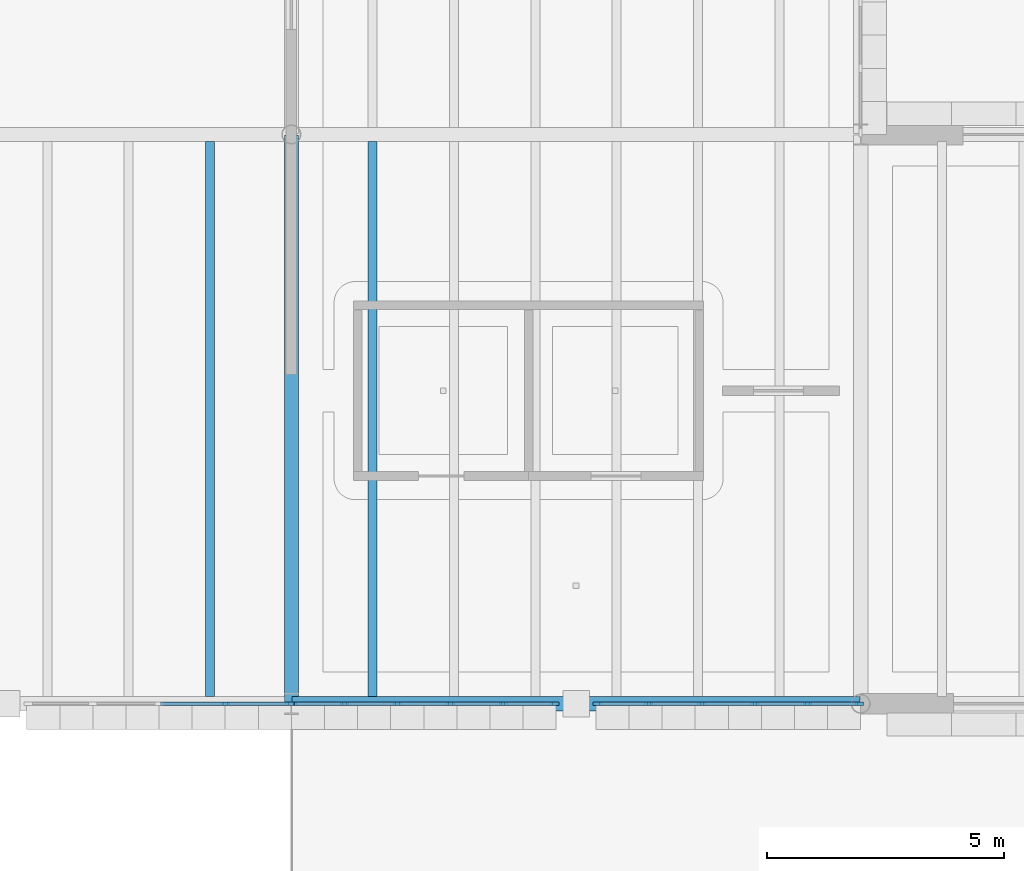
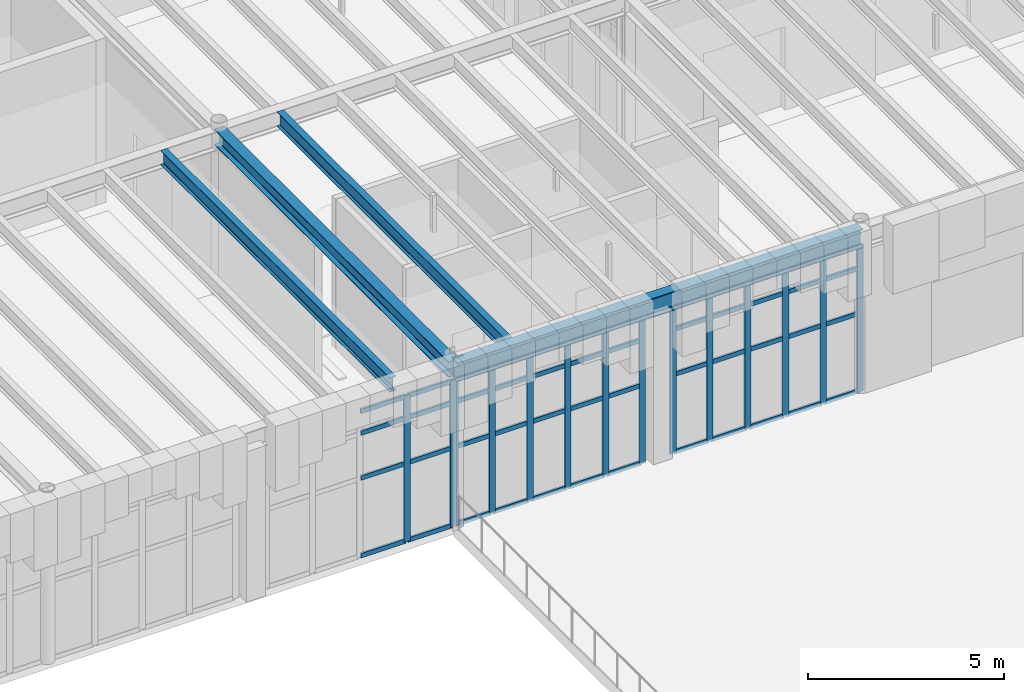
# One storey, part 20 of 103: 62 members, 4 beams, 3 elements without a shape of their own.
"""IFC4 building model written with IfcOpenShell, lengths in metres."""

from ifc_helpers import new_model, si_unit, direction, frame, origin, origin_2d, place, context, subcontext, project, spatial, rectangle, i_section, extrude, material, layer, layer_set, material_profile, profile_set, type_object, element, aggregate, save


model = new_model("IFC4")

# Units and contexts
model_context = context("Model", 3, precision=1e-05, world=origin(), true_north=direction((0.0, 1.0)))
body_context = subcontext(model_context, "Body", "Model", "MODEL_VIEW")
ifc_project = project(units=[si_unit("LENGTHUNIT", "METRE"), si_unit("AREAUNIT", "SQUARE_METRE"), si_unit("VOLUMEUNIT", "CUBIC_METRE"), si_unit("PLANEANGLEUNIT", "RADIAN"), si_unit("MASSUNIT", "GRAM", prefix="KILO")], contexts=[model_context])

# Site, building, storey
site_placement = place(None, origin())
site = spatial("IfcSite", under=ifc_project, at=site_placement, CompositionType="ELEMENT")
building_placement = place(site_placement, origin())
building = spatial("IfcBuilding", under=site, at=building_placement, Name="Zlatogorsky Bluff Art Gallery", CompositionType="ELEMENT")
storey_placement = place(building_placement, origin())
storey = spatial("IfcBuildingStorey", under=building, at=storey_placement, Name="L00", CompositionType="ELEMENT", Elevation=0.0)

# Beams
ifc_material_1 = material(Name="Steel S355", Category="steel")
ifc_material_profile_1 = material_profile(ifc_material_1, i_section(OverallWidth=0.300048828125, OverallDepth=0.590087890625, WebThickness=0.012939453125, FlangeThickness=0.02490234375, FilletRadius=0.027099609375, at=origin_2d()), Name="HEA 600")
ifc_profile_set_1 = profile_set([ifc_material_profile_1], Name="Steel S355")
beam_type_1 = type_object("IfcBeamType", Name="Beam BM-05 HEA 600", PredefinedType="BEAM", material=ifc_profile_set_1)
beam_1_placement = place(storey_placement, frame((48.014892578125, 84.0, 4.844970703125), z_axis=(1.0, 0.0, 0.0), x_axis=(0.0, 1.0, 0.0)))
element("IfcBeam", 1, at=beam_1_placement, inside=storey, type_object=beam_type_1, Name="Primary girder BM-05 L00 E-F/9", PredefinedType="BEAM", context=body_context, shape_type="SweptSolid", body=[
    extrude(i_section(OverallWidth=0.300048828125, OverallDepth=0.590087890625, WebThickness=0.012939453125, FlangeThickness=0.02490234375, FilletRadius=0.027099609375, at=origin_2d()), origin(), (0.0, 0.0, 1.0), 11.97021484375),
])
ifc_material_profile_2 = material_profile(ifc_material_1, i_section(OverallWidth=0.300048828125, OverallDepth=0.489990234375, WebThickness=0.011962890625, FlangeThickness=0.02294921875, FilletRadius=0.027099609375, at=origin_2d()), Name="HEA 500")
ifc_profile_set_2 = profile_set([ifc_material_profile_2], Name="Steel S355")
beam_type_2 = type_object("IfcBeamType", Name="Beam BM-07 HEA 500", PredefinedType="BEAM", material=ifc_profile_set_2)
beam_2_placement = place(storey_placement, frame((48.0, 84.014892578125, 4.89501953125), z_axis=(0.0, 1.0, 0.0), x_axis=(-1.0, 0.0, 0.0)))
element("IfcBeam", 2, at=beam_2_placement, inside=storey, type_object=beam_type_2, Name="Primary girder BM-07 L00 E/9-10", PredefinedType="BEAM", context=body_context, shape_type="SweptSolid", body=[
    extrude(i_section(OverallWidth=0.300048828125, OverallDepth=0.489990234375, WebThickness=0.011962890625, FlangeThickness=0.02294921875, FilletRadius=0.027099609375, at=origin_2d()), origin(), (0.0, 0.0, 1.0), 11.97021484375),
])
ifc_material_profile_3 = material_profile(ifc_material_1, i_section(OverallWidth=0.18994140625, OverallDepth=0.449951171875, WebThickness=0.009521484375, FlangeThickness=0.0146484375, FilletRadius=0.02099609375, at=origin_2d()), Name="IPE 450")
ifc_profile_set_3 = profile_set([ifc_material_profile_3], Name="Steel S355")
beam_type_3 = type_object("IfcBeamType", Name="Beam JS-06 IPE 450", PredefinedType="JOIST", material=ifc_profile_set_3)
for number, where, z_axis, x_axis, name in (
    (3, (46.28564453125, 84.14990234375, 4.9150390625), (0.0, 1.0, 0.0), (-1.0, 0.0, 0.0), "Composite floor joist JS-06 L00 03.08.6"),
    (4, (49.71435546875, 84.14990234375, 4.9150390625), (0.0, 1.0, 0.0), (-1.0, 0.0, 0.0), "Composite floor joist JS-06 L00 04.08.1"),
):
    element("IfcBeam", number, at=place(storey_placement, frame(where, z_axis=z_axis, x_axis=x_axis)), inside=storey, type_object=beam_type_3, Name=name, PredefinedType="JOIST", context=body_context, shape_type="SweptSolid", body=[
        extrude(i_section(OverallWidth=0.18994140625, OverallDepth=0.449951171875, WebThickness=0.009521484375, FlangeThickness=0.0146484375, FilletRadius=0.02099609375, at=origin_2d()), origin(), (0.0, 0.0, 1.0), 11.7001953125),
    ])

# Curtain wall, members
ifc_material_2 = material(Name="Anodised Bronze Aluminium and Low-Iron Triple Glazing", Category="aluminium")
ifc_layer_1 = layer(ifc_material_2, 0.179931640625)
ifc_layer_set_1 = layer_set([ifc_layer_1], Name="Curtain Wall CW-01")
curtain_wall_type_1 = type_object("IfcCurtainWallType", Name="Curtain Wall CW-01", PredefinedType="USERDEFINED", material=ifc_layer_set_1)
curtain_wall_1_placement = place(storey_placement, origin())
curtain_wall_1 = element("IfcCurtainWall", 5, at=curtain_wall_1_placement, inside=storey, type_object=curtain_wall_type_1, Name="Unitised curtain wall CW-01 L00 S 3.8-B", ObjectType="CURTAIN WALL", PredefinedType="USERDEFINED")
ifc_material_3 = material(Name="Anodised Bronze Aluminium", Category="aluminium")
ifc_material_profile_4 = material_profile(ifc_material_3, rectangle(XDim=0.06494140625, YDim=0.179931640625, at=origin_2d()), Name="ALU MULLION 65x180")
ifc_profile_set_4 = profile_set([ifc_material_profile_4], Name="Anodised Bronze Aluminium")
member_type_1 = type_object("IfcMemberType", Name="Curtain Mullion ML-01", PredefinedType="MULLION", material=ifc_profile_set_4)
member_1_placement = place(storey_placement, frame((46.60498046875, 84.0, 0.0), z_axis=(0.0, 0.0, 1.0), x_axis=(0.0, 1.0, 0.0)))
member_1 = element("IfcMember", 6, at=member_1_placement, type_object=member_type_1, Name="CW-01 mullion 4", PredefinedType="MULLION", context=body_context, shape_type="SweptSolid", body=[
    extrude(rectangle(XDim=0.06494140625, YDim=0.179931640625, at=origin_2d()), origin(), (0.0, 0.0, 1.0), 4.56005859375),
])
member_2_placement = place(storey_placement, frame((47.967529296875, 84.0, 0.0), z_axis=(0.0, 0.0, 1.0), x_axis=(0.0, 1.0, 0.0)))
member_2 = element("IfcMember", 7, at=member_2_placement, type_object=member_type_1, Name="CW-01 mullion 5", PredefinedType="MULLION", context=body_context, shape_type="SweptSolid", body=[
    extrude(rectangle(XDim=0.06494140625, YDim=0.179931640625, at=origin_2d()), origin(), (0.0, 0.0, 1.0), 4.56005859375),
])

ifc_layer_2 = layer(ifc_material_2, 0.179931640625)
ifc_layer_set_2 = layer_set([ifc_layer_2], Name="Curtain Wall CW-03")
curtain_wall_type_2 = type_object("IfcCurtainWallType", Name="Curtain Wall CW-03", PredefinedType="USERDEFINED", material=ifc_layer_set_2)
curtain_wall_2_placement = place(storey_placement, origin())
curtain_wall_2 = element("IfcCurtainWall", 8, at=curtain_wall_2_placement, inside=storey, type_object=curtain_wall_type_2, Name="Unitised curtain wall CW-03 L00 S 4.8-A", ObjectType="CURTAIN WALL", PredefinedType="USERDEFINED")
member_3_placement = place(storey_placement, frame((48.032470703125, 84.0, 0.0), z_axis=(0.0, 0.0, 1.0), x_axis=(0.0, 1.0, 0.0)))
member_3 = element("IfcMember", 9, at=member_3_placement, type_object=member_type_1, Name="CW-03 mullion 1", PredefinedType="MULLION", context=body_context, shape_type="SweptSolid", body=[
    extrude(rectangle(XDim=0.06494140625, YDim=0.179931640625, at=origin_2d()), origin(), (0.0, 0.0, 1.0), 4.56005859375),
])
member_4_placement = place(storey_placement, frame((49.115966796875, 84.0, 0.0), z_axis=(0.0, 0.0, 1.0), x_axis=(0.0, 1.0, 0.0)))
member_4 = element("IfcMember", 10, at=member_4_placement, type_object=member_type_1, Name="CW-03 mullion 2", PredefinedType="MULLION", context=body_context, shape_type="SweptSolid", body=[
    extrude(rectangle(XDim=0.06494140625, YDim=0.179931640625, at=origin_2d()), origin(), (0.0, 0.0, 1.0), 4.56005859375),
])
member_5_placement = place(storey_placement, frame((50.23193359375, 84.0, 0.0), z_axis=(0.0, 0.0, 1.0), x_axis=(0.0, 1.0, 0.0)))
member_5 = element("IfcMember", 11, at=member_5_placement, type_object=member_type_1, Name="CW-03 mullion 3", PredefinedType="MULLION", context=body_context, shape_type="SweptSolid", body=[
    extrude(rectangle(XDim=0.06494140625, YDim=0.179931640625, at=origin_2d()), origin(), (0.0, 0.0, 1.0), 4.56005859375),
])
member_6_placement = place(storey_placement, frame((51.347900390625, 84.0, 0.0), z_axis=(0.0, 0.0, 1.0), x_axis=(0.0, 1.0, 0.0)))
member_6 = element("IfcMember", 12, at=member_6_placement, type_object=member_type_1, Name="CW-03 mullion 4", PredefinedType="MULLION", context=body_context, shape_type="SweptSolid", body=[
    extrude(rectangle(XDim=0.06494140625, YDim=0.179931640625, at=origin_2d()), origin(), (0.0, 0.0, 1.0), 4.56005859375),
])
member_7_placement = place(storey_placement, frame((52.464111328125, 84.0, 0.0), z_axis=(0.0, 0.0, 1.0), x_axis=(0.0, 1.0, 0.0)))
member_7 = element("IfcMember", 13, at=member_7_placement, type_object=member_type_1, Name="CW-03 mullion 5", PredefinedType="MULLION", context=body_context, shape_type="SweptSolid", body=[
    extrude(rectangle(XDim=0.06494140625, YDim=0.179931640625, at=origin_2d()), origin(), (0.0, 0.0, 1.0), 4.56005859375),
])
member_8_placement = place(storey_placement, frame((53.547607421875, 84.0, 0.0), z_axis=(0.0, 0.0, 1.0), x_axis=(0.0, 1.0, 0.0)))
member_8 = element("IfcMember", 14, at=member_8_placement, type_object=member_type_1, Name="CW-03 mullion 6", PredefinedType="MULLION", context=body_context, shape_type="SweptSolid", body=[
    extrude(rectangle(XDim=0.06494140625, YDim=0.179931640625, at=origin_2d()), origin(), (0.0, 0.0, 1.0), 4.56005859375),
])

curtain_wall_3_placement = place(storey_placement, origin())
curtain_wall_3 = element("IfcCurtainWall", 15, at=curtain_wall_3_placement, inside=storey, type_object=curtain_wall_type_2, Name="Unitised curtain wall CW-03 L00 S 4.8-B", ObjectType="CURTAIN WALL", PredefinedType="USERDEFINED")
member_9_placement = place(storey_placement, frame((54.452392578125, 84.0, 0.0), z_axis=(0.0, 0.0, 1.0), x_axis=(0.0, 1.0, 0.0)))
member_9 = element("IfcMember", 16, at=member_9_placement, type_object=member_type_1, Name="CW-03 mullion 1", PredefinedType="MULLION", context=body_context, shape_type="SweptSolid", body=[
    extrude(rectangle(XDim=0.06494140625, YDim=0.179931640625, at=origin_2d()), origin(), (0.0, 0.0, 1.0), 4.56005859375),
])
member_10_placement = place(storey_placement, frame((55.535888671875, 84.0, 0.0), z_axis=(0.0, 0.0, 1.0), x_axis=(0.0, 1.0, 0.0)))
member_10 = element("IfcMember", 17, at=member_10_placement, type_object=member_type_1, Name="CW-03 mullion 2", PredefinedType="MULLION", context=body_context, shape_type="SweptSolid", body=[
    extrude(rectangle(XDim=0.06494140625, YDim=0.179931640625, at=origin_2d()), origin(), (0.0, 0.0, 1.0), 4.56005859375),
])
member_11_placement = place(storey_placement, frame((56.652099609375, 84.0, 0.0), z_axis=(0.0, 0.0, 1.0), x_axis=(0.0, 1.0, 0.0)))
member_11 = element("IfcMember", 18, at=member_11_placement, type_object=member_type_1, Name="CW-03 mullion 3", PredefinedType="MULLION", context=body_context, shape_type="SweptSolid", body=[
    extrude(rectangle(XDim=0.06494140625, YDim=0.179931640625, at=origin_2d()), origin(), (0.0, 0.0, 1.0), 4.56005859375),
])
member_12_placement = place(storey_placement, frame((57.76806640625, 84.0, 0.0), z_axis=(0.0, 0.0, 1.0), x_axis=(0.0, 1.0, 0.0)))
member_12 = element("IfcMember", 19, at=member_12_placement, type_object=member_type_1, Name="CW-03 mullion 4", PredefinedType="MULLION", context=body_context, shape_type="SweptSolid", body=[
    extrude(rectangle(XDim=0.06494140625, YDim=0.179931640625, at=origin_2d()), origin(), (0.0, 0.0, 1.0), 4.56005859375),
])
member_13_placement = place(storey_placement, frame((58.884033203125, 84.0, 0.0), z_axis=(0.0, 0.0, 1.0), x_axis=(0.0, 1.0, 0.0)))
member_13 = element("IfcMember", 20, at=member_13_placement, type_object=member_type_1, Name="CW-03 mullion 5", PredefinedType="MULLION", context=body_context, shape_type="SweptSolid", body=[
    extrude(rectangle(XDim=0.06494140625, YDim=0.179931640625, at=origin_2d()), origin(), (0.0, 0.0, 1.0), 4.56005859375),
])
member_14_placement = place(storey_placement, frame((59.967529296875, 84.0, 0.0), z_axis=(0.0, 0.0, 1.0), x_axis=(0.0, 1.0, 0.0)))
member_14 = element("IfcMember", 21, at=member_14_placement, type_object=member_type_1, Name="CW-03 mullion 6", PredefinedType="MULLION", context=body_context, shape_type="SweptSolid", body=[
    extrude(rectangle(XDim=0.06494140625, YDim=0.179931640625, at=origin_2d()), origin(), (0.0, 0.0, 1.0), 4.56005859375),
])

# Member
ifc_material_profile_5 = material_profile(ifc_material_3, rectangle(XDim=0.06494140625, YDim=0.139892578125, at=origin_2d()), Name="ALU TRANSOM 65x140")
ifc_profile_set_5 = profile_set([ifc_material_profile_5], Name="Anodised Bronze Aluminium")
member_type_2 = type_object("IfcMemberType", Name="Curtain Transom TR-01", PredefinedType="USERDEFINED", material=ifc_profile_set_5)
member_15_placement = place(storey_placement, frame((45.242431640625, 84.0, 0.032470703125), z_axis=(1.0, 0.0, 0.0), x_axis=(0.0, 1.0, 0.0)))
member_15 = element("IfcMember", 22, at=member_15_placement, type_object=member_type_2, Name="CW-01 transom 3.1", ObjectType="TRANSOM", PredefinedType="USERDEFINED", context=body_context, shape_type="SweptSolid", body=[
    extrude(rectangle(XDim=0.06494140625, YDim=0.139892578125, at=origin_2d()), origin(), (0.0, 0.0, 1.0), 1.330078125),
])

member_16_placement = place(storey_placement, frame((45.242431640625, 84.0, 2.449951171875), z_axis=(1.0, 0.0, 0.0), x_axis=(0.0, 1.0, 0.0)))
member_16 = element("IfcMember", 23, at=member_16_placement, type_object=member_type_2, Name="CW-01 transom 3.2", ObjectType="TRANSOM", PredefinedType="USERDEFINED", context=body_context, shape_type="SweptSolid", body=[
    extrude(rectangle(XDim=0.06494140625, YDim=0.139892578125, at=origin_2d()), origin(), (0.0, 0.0, 1.0), 1.330078125),
])

member_17_placement = place(storey_placement, frame((45.242431640625, 84.0, 3.85009765625), z_axis=(1.0, 0.0, 0.0), x_axis=(0.0, 1.0, 0.0)))
member_17 = element("IfcMember", 24, at=member_17_placement, type_object=member_type_2, Name="CW-01 transom 3.3", ObjectType="TRANSOM", PredefinedType="USERDEFINED", context=body_context, shape_type="SweptSolid", body=[
    extrude(rectangle(XDim=0.06494140625, YDim=0.139892578125, at=origin_2d()), origin(), (0.0, 0.0, 1.0), 1.330078125),
])

member_18_placement = place(storey_placement, frame((45.242431640625, 84.0, 4.527587890625), z_axis=(1.0, 0.0, 0.0), x_axis=(0.0, 1.0, 0.0)))
member_18 = element("IfcMember", 25, at=member_18_placement, type_object=member_type_2, Name="CW-01 transom 3.4", ObjectType="TRANSOM", PredefinedType="USERDEFINED", context=body_context, shape_type="SweptSolid", body=[
    extrude(rectangle(XDim=0.06494140625, YDim=0.139892578125, at=origin_2d()), origin(), (0.0, 0.0, 1.0), 1.330078125),
])

member_19_placement = place(storey_placement, frame((46.637451171875, 84.0, 0.032470703125), z_axis=(1.0, 0.0, 0.0), x_axis=(0.0, 1.0, 0.0)))
member_19 = element("IfcMember", 26, at=member_19_placement, type_object=member_type_2, Name="CW-01 transom 4.1", ObjectType="TRANSOM", PredefinedType="USERDEFINED", context=body_context, shape_type="SweptSolid", body=[
    extrude(rectangle(XDim=0.06494140625, YDim=0.139892578125, at=origin_2d()), origin(), (0.0, 0.0, 1.0), 1.297607421875),
])

member_20_placement = place(storey_placement, frame((46.637451171875, 84.0, 2.449951171875), z_axis=(1.0, 0.0, 0.0), x_axis=(0.0, 1.0, 0.0)))
member_20 = element("IfcMember", 27, at=member_20_placement, type_object=member_type_2, Name="CW-01 transom 4.2", ObjectType="TRANSOM", PredefinedType="USERDEFINED", context=body_context, shape_type="SweptSolid", body=[
    extrude(rectangle(XDim=0.06494140625, YDim=0.139892578125, at=origin_2d()), origin(), (0.0, 0.0, 1.0), 1.297607421875),
])

member_21_placement = place(storey_placement, frame((46.637451171875, 84.0, 3.85009765625), z_axis=(1.0, 0.0, 0.0), x_axis=(0.0, 1.0, 0.0)))
member_21 = element("IfcMember", 28, at=member_21_placement, type_object=member_type_2, Name="CW-01 transom 4.3", ObjectType="TRANSOM", PredefinedType="USERDEFINED", context=body_context, shape_type="SweptSolid", body=[
    extrude(rectangle(XDim=0.06494140625, YDim=0.139892578125, at=origin_2d()), origin(), (0.0, 0.0, 1.0), 1.297607421875),
])

member_22_placement = place(storey_placement, frame((46.637451171875, 84.0, 4.527587890625), z_axis=(1.0, 0.0, 0.0), x_axis=(0.0, 1.0, 0.0)))
member_22 = element("IfcMember", 29, at=member_22_placement, type_object=member_type_2, Name="CW-01 transom 4.4", ObjectType="TRANSOM", PredefinedType="USERDEFINED", context=body_context, shape_type="SweptSolid", body=[
    extrude(rectangle(XDim=0.06494140625, YDim=0.139892578125, at=origin_2d()), origin(), (0.0, 0.0, 1.0), 1.297607421875),
])

aggregate(curtain_wall_1, [member_1, member_2, member_15, member_16, member_17, member_18, member_19, member_20, member_21, member_22])

member_23_placement = place(storey_placement, frame((48.06494140625, 84.0, 0.032470703125), z_axis=(1.0, 0.0, 0.0), x_axis=(0.0, 1.0, 0.0)))
member_23 = element("IfcMember", 30, at=member_23_placement, type_object=member_type_2, Name="CW-03 transom 1.1", ObjectType="TRANSOM", PredefinedType="USERDEFINED", context=body_context, shape_type="SweptSolid", body=[
    extrude(rectangle(XDim=0.06494140625, YDim=0.139892578125, at=origin_2d()), origin(), (0.0, 0.0, 1.0), 1.0185546875),
])

member_24_placement = place(storey_placement, frame((48.06494140625, 84.0, 2.449951171875), z_axis=(1.0, 0.0, 0.0), x_axis=(0.0, 1.0, 0.0)))
member_24 = element("IfcMember", 31, at=member_24_placement, type_object=member_type_2, Name="CW-03 transom 1.2", ObjectType="TRANSOM", PredefinedType="USERDEFINED", context=body_context, shape_type="SweptSolid", body=[
    extrude(rectangle(XDim=0.06494140625, YDim=0.139892578125, at=origin_2d()), origin(), (0.0, 0.0, 1.0), 1.0185546875),
])

member_25_placement = place(storey_placement, frame((48.06494140625, 84.0, 3.85009765625), z_axis=(1.0, 0.0, 0.0), x_axis=(0.0, 1.0, 0.0)))
member_25 = element("IfcMember", 32, at=member_25_placement, type_object=member_type_2, Name="CW-03 transom 1.3", ObjectType="TRANSOM", PredefinedType="USERDEFINED", context=body_context, shape_type="SweptSolid", body=[
    extrude(rectangle(XDim=0.06494140625, YDim=0.139892578125, at=origin_2d()), origin(), (0.0, 0.0, 1.0), 1.0185546875),
])

member_26_placement = place(storey_placement, frame((48.06494140625, 84.0, 4.527587890625), z_axis=(1.0, 0.0, 0.0), x_axis=(0.0, 1.0, 0.0)))
member_26 = element("IfcMember", 33, at=member_26_placement, type_object=member_type_2, Name="CW-03 transom 1.4", ObjectType="TRANSOM", PredefinedType="USERDEFINED", context=body_context, shape_type="SweptSolid", body=[
    extrude(rectangle(XDim=0.06494140625, YDim=0.139892578125, at=origin_2d()), origin(), (0.0, 0.0, 1.0), 1.0185546875),
])

member_27_placement = place(storey_placement, frame((49.1484375, 84.0, 0.032470703125), z_axis=(1.0, 0.0, 0.0), x_axis=(0.0, 1.0, 0.0)))
member_27 = element("IfcMember", 34, at=member_27_placement, type_object=member_type_2, Name="CW-03 transom 2.1", ObjectType="TRANSOM", PredefinedType="USERDEFINED", context=body_context, shape_type="SweptSolid", body=[
    extrude(rectangle(XDim=0.06494140625, YDim=0.139892578125, at=origin_2d()), origin(), (0.0, 0.0, 1.0), 1.051025390625),
])

member_28_placement = place(storey_placement, frame((49.1484375, 84.0, 2.449951171875), z_axis=(1.0, 0.0, 0.0), x_axis=(0.0, 1.0, 0.0)))
member_28 = element("IfcMember", 35, at=member_28_placement, type_object=member_type_2, Name="CW-03 transom 2.2", ObjectType="TRANSOM", PredefinedType="USERDEFINED", context=body_context, shape_type="SweptSolid", body=[
    extrude(rectangle(XDim=0.06494140625, YDim=0.139892578125, at=origin_2d()), origin(), (0.0, 0.0, 1.0), 1.051025390625),
])

member_29_placement = place(storey_placement, frame((49.1484375, 84.0, 3.85009765625), z_axis=(1.0, 0.0, 0.0), x_axis=(0.0, 1.0, 0.0)))
member_29 = element("IfcMember", 36, at=member_29_placement, type_object=member_type_2, Name="CW-03 transom 2.3", ObjectType="TRANSOM", PredefinedType="USERDEFINED", context=body_context, shape_type="SweptSolid", body=[
    extrude(rectangle(XDim=0.06494140625, YDim=0.139892578125, at=origin_2d()), origin(), (0.0, 0.0, 1.0), 1.051025390625),
])

member_30_placement = place(storey_placement, frame((49.1484375, 84.0, 4.527587890625), z_axis=(1.0, 0.0, 0.0), x_axis=(0.0, 1.0, 0.0)))
member_30 = element("IfcMember", 37, at=member_30_placement, type_object=member_type_2, Name="CW-03 transom 2.4", ObjectType="TRANSOM", PredefinedType="USERDEFINED", context=body_context, shape_type="SweptSolid", body=[
    extrude(rectangle(XDim=0.06494140625, YDim=0.139892578125, at=origin_2d()), origin(), (0.0, 0.0, 1.0), 1.051025390625),
])

member_31_placement = place(storey_placement, frame((50.264404296875, 84.0, 0.032470703125), z_axis=(1.0, 0.0, 0.0), x_axis=(0.0, 1.0, 0.0)))
member_31 = element("IfcMember", 38, at=member_31_placement, type_object=member_type_2, Name="CW-03 transom 3.1", ObjectType="TRANSOM", PredefinedType="USERDEFINED", context=body_context, shape_type="SweptSolid", body=[
    extrude(rectangle(XDim=0.06494140625, YDim=0.139892578125, at=origin_2d()), origin(), (0.0, 0.0, 1.0), 1.051025390625),
])

member_32_placement = place(storey_placement, frame((50.264404296875, 84.0, 2.449951171875), z_axis=(1.0, 0.0, 0.0), x_axis=(0.0, 1.0, 0.0)))
member_32 = element("IfcMember", 39, at=member_32_placement, type_object=member_type_2, Name="CW-03 transom 3.2", ObjectType="TRANSOM", PredefinedType="USERDEFINED", context=body_context, shape_type="SweptSolid", body=[
    extrude(rectangle(XDim=0.06494140625, YDim=0.139892578125, at=origin_2d()), origin(), (0.0, 0.0, 1.0), 1.051025390625),
])

member_33_placement = place(storey_placement, frame((50.264404296875, 84.0, 3.85009765625), z_axis=(1.0, 0.0, 0.0), x_axis=(0.0, 1.0, 0.0)))
member_33 = element("IfcMember", 40, at=member_33_placement, type_object=member_type_2, Name="CW-03 transom 3.3", ObjectType="TRANSOM", PredefinedType="USERDEFINED", context=body_context, shape_type="SweptSolid", body=[
    extrude(rectangle(XDim=0.06494140625, YDim=0.139892578125, at=origin_2d()), origin(), (0.0, 0.0, 1.0), 1.051025390625),
])

member_34_placement = place(storey_placement, frame((50.264404296875, 84.0, 4.527587890625), z_axis=(1.0, 0.0, 0.0), x_axis=(0.0, 1.0, 0.0)))
member_34 = element("IfcMember", 41, at=member_34_placement, type_object=member_type_2, Name="CW-03 transom 3.4", ObjectType="TRANSOM", PredefinedType="USERDEFINED", context=body_context, shape_type="SweptSolid", body=[
    extrude(rectangle(XDim=0.06494140625, YDim=0.139892578125, at=origin_2d()), origin(), (0.0, 0.0, 1.0), 1.051025390625),
])

member_35_placement = place(storey_placement, frame((51.380615234375, 84.0, 0.032470703125), z_axis=(1.0, 0.0, 0.0), x_axis=(0.0, 1.0, 0.0)))
member_35 = element("IfcMember", 42, at=member_35_placement, type_object=member_type_2, Name="CW-03 transom 4.1", ObjectType="TRANSOM", PredefinedType="USERDEFINED", context=body_context, shape_type="SweptSolid", body=[
    extrude(rectangle(XDim=0.06494140625, YDim=0.139892578125, at=origin_2d()), origin(), (0.0, 0.0, 1.0), 1.05078125),
])

member_36_placement = place(storey_placement, frame((51.380615234375, 84.0, 2.449951171875), z_axis=(1.0, 0.0, 0.0), x_axis=(0.0, 1.0, 0.0)))
member_36 = element("IfcMember", 43, at=member_36_placement, type_object=member_type_2, Name="CW-03 transom 4.2", ObjectType="TRANSOM", PredefinedType="USERDEFINED", context=body_context, shape_type="SweptSolid", body=[
    extrude(rectangle(XDim=0.06494140625, YDim=0.139892578125, at=origin_2d()), origin(), (0.0, 0.0, 1.0), 1.05078125),
])

member_37_placement = place(storey_placement, frame((51.380615234375, 84.0, 3.85009765625), z_axis=(1.0, 0.0, 0.0), x_axis=(0.0, 1.0, 0.0)))
member_37 = element("IfcMember", 44, at=member_37_placement, type_object=member_type_2, Name="CW-03 transom 4.3", ObjectType="TRANSOM", PredefinedType="USERDEFINED", context=body_context, shape_type="SweptSolid", body=[
    extrude(rectangle(XDim=0.06494140625, YDim=0.139892578125, at=origin_2d()), origin(), (0.0, 0.0, 1.0), 1.05078125),
])

member_38_placement = place(storey_placement, frame((51.380615234375, 84.0, 4.527587890625), z_axis=(1.0, 0.0, 0.0), x_axis=(0.0, 1.0, 0.0)))
member_38 = element("IfcMember", 45, at=member_38_placement, type_object=member_type_2, Name="CW-03 transom 4.4", ObjectType="TRANSOM", PredefinedType="USERDEFINED", context=body_context, shape_type="SweptSolid", body=[
    extrude(rectangle(XDim=0.06494140625, YDim=0.139892578125, at=origin_2d()), origin(), (0.0, 0.0, 1.0), 1.05078125),
])

member_39_placement = place(storey_placement, frame((52.49658203125, 84.0, 0.032470703125), z_axis=(1.0, 0.0, 0.0), x_axis=(0.0, 1.0, 0.0)))
member_39 = element("IfcMember", 46, at=member_39_placement, type_object=member_type_2, Name="CW-03 transom 5.1", ObjectType="TRANSOM", PredefinedType="USERDEFINED", context=body_context, shape_type="SweptSolid", body=[
    extrude(rectangle(XDim=0.06494140625, YDim=0.139892578125, at=origin_2d()), origin(), (0.0, 0.0, 1.0), 1.018310546875),
])

member_40_placement = place(storey_placement, frame((52.49658203125, 84.0, 2.449951171875), z_axis=(1.0, 0.0, 0.0), x_axis=(0.0, 1.0, 0.0)))
member_40 = element("IfcMember", 47, at=member_40_placement, type_object=member_type_2, Name="CW-03 transom 5.2", ObjectType="TRANSOM", PredefinedType="USERDEFINED", context=body_context, shape_type="SweptSolid", body=[
    extrude(rectangle(XDim=0.06494140625, YDim=0.139892578125, at=origin_2d()), origin(), (0.0, 0.0, 1.0), 1.018310546875),
])

member_41_placement = place(storey_placement, frame((52.49658203125, 84.0, 3.85009765625), z_axis=(1.0, 0.0, 0.0), x_axis=(0.0, 1.0, 0.0)))
member_41 = element("IfcMember", 48, at=member_41_placement, type_object=member_type_2, Name="CW-03 transom 5.3", ObjectType="TRANSOM", PredefinedType="USERDEFINED", context=body_context, shape_type="SweptSolid", body=[
    extrude(rectangle(XDim=0.06494140625, YDim=0.139892578125, at=origin_2d()), origin(), (0.0, 0.0, 1.0), 1.018310546875),
])

member_42_placement = place(storey_placement, frame((52.49658203125, 84.0, 4.527587890625), z_axis=(1.0, 0.0, 0.0), x_axis=(0.0, 1.0, 0.0)))
member_42 = element("IfcMember", 49, at=member_42_placement, type_object=member_type_2, Name="CW-03 transom 5.4", ObjectType="TRANSOM", PredefinedType="USERDEFINED", context=body_context, shape_type="SweptSolid", body=[
    extrude(rectangle(XDim=0.06494140625, YDim=0.139892578125, at=origin_2d()), origin(), (0.0, 0.0, 1.0), 1.018310546875),
])

aggregate(curtain_wall_2, [member_3, member_4, member_5, member_6, member_7, member_8, member_23, member_24, member_25, member_26, member_27, member_28, member_29, member_30, member_31, member_32, member_33, member_34, member_35, member_36, member_37, member_38, member_39, member_40, member_41, member_42])

member_43_placement = place(storey_placement, frame((54.485107421875, 84.0, 0.032470703125), z_axis=(1.0, 0.0, 0.0), x_axis=(0.0, 1.0, 0.0)))
member_43 = element("IfcMember", 50, at=member_43_placement, type_object=member_type_2, Name="CW-03 transom 1.1", ObjectType="TRANSOM", PredefinedType="USERDEFINED", context=body_context, shape_type="SweptSolid", body=[
    extrude(rectangle(XDim=0.06494140625, YDim=0.139892578125, at=origin_2d()), origin(), (0.0, 0.0, 1.0), 1.018310546875),
])

member_44_placement = place(storey_placement, frame((54.485107421875, 84.0, 2.449951171875), z_axis=(1.0, 0.0, 0.0), x_axis=(0.0, 1.0, 0.0)))
member_44 = element("IfcMember", 51, at=member_44_placement, type_object=member_type_2, Name="CW-03 transom 1.2", ObjectType="TRANSOM", PredefinedType="USERDEFINED", context=body_context, shape_type="SweptSolid", body=[
    extrude(rectangle(XDim=0.06494140625, YDim=0.139892578125, at=origin_2d()), origin(), (0.0, 0.0, 1.0), 1.018310546875),
])

member_45_placement = place(storey_placement, frame((54.485107421875, 84.0, 3.85009765625), z_axis=(1.0, 0.0, 0.0), x_axis=(0.0, 1.0, 0.0)))
member_45 = element("IfcMember", 52, at=member_45_placement, type_object=member_type_2, Name="CW-03 transom 1.3", ObjectType="TRANSOM", PredefinedType="USERDEFINED", context=body_context, shape_type="SweptSolid", body=[
    extrude(rectangle(XDim=0.06494140625, YDim=0.139892578125, at=origin_2d()), origin(), (0.0, 0.0, 1.0), 1.018310546875),
])

member_46_placement = place(storey_placement, frame((54.485107421875, 84.0, 4.527587890625), z_axis=(1.0, 0.0, 0.0), x_axis=(0.0, 1.0, 0.0)))
member_46 = element("IfcMember", 53, at=member_46_placement, type_object=member_type_2, Name="CW-03 transom 1.4", ObjectType="TRANSOM", PredefinedType="USERDEFINED", context=body_context, shape_type="SweptSolid", body=[
    extrude(rectangle(XDim=0.06494140625, YDim=0.139892578125, at=origin_2d()), origin(), (0.0, 0.0, 1.0), 1.018310546875),
])

member_47_placement = place(storey_placement, frame((55.568603515625, 84.0, 0.032470703125), z_axis=(1.0, 0.0, 0.0), x_axis=(0.0, 1.0, 0.0)))
member_47 = element("IfcMember", 54, at=member_47_placement, type_object=member_type_2, Name="CW-03 transom 2.1", ObjectType="TRANSOM", PredefinedType="USERDEFINED", context=body_context, shape_type="SweptSolid", body=[
    extrude(rectangle(XDim=0.06494140625, YDim=0.139892578125, at=origin_2d()), origin(), (0.0, 0.0, 1.0), 1.05078125),
])

member_48_placement = place(storey_placement, frame((55.568603515625, 84.0, 2.449951171875), z_axis=(1.0, 0.0, 0.0), x_axis=(0.0, 1.0, 0.0)))
member_48 = element("IfcMember", 55, at=member_48_placement, type_object=member_type_2, Name="CW-03 transom 2.2", ObjectType="TRANSOM", PredefinedType="USERDEFINED", context=body_context, shape_type="SweptSolid", body=[
    extrude(rectangle(XDim=0.06494140625, YDim=0.139892578125, at=origin_2d()), origin(), (0.0, 0.0, 1.0), 1.05078125),
])

member_49_placement = place(storey_placement, frame((55.568603515625, 84.0, 3.85009765625), z_axis=(1.0, 0.0, 0.0), x_axis=(0.0, 1.0, 0.0)))
member_49 = element("IfcMember", 56, at=member_49_placement, type_object=member_type_2, Name="CW-03 transom 2.3", ObjectType="TRANSOM", PredefinedType="USERDEFINED", context=body_context, shape_type="SweptSolid", body=[
    extrude(rectangle(XDim=0.06494140625, YDim=0.139892578125, at=origin_2d()), origin(), (0.0, 0.0, 1.0), 1.05078125),
])

member_50_placement = place(storey_placement, frame((55.568603515625, 84.0, 4.527587890625), z_axis=(1.0, 0.0, 0.0), x_axis=(0.0, 1.0, 0.0)))
member_50 = element("IfcMember", 57, at=member_50_placement, type_object=member_type_2, Name="CW-03 transom 2.4", ObjectType="TRANSOM", PredefinedType="USERDEFINED", context=body_context, shape_type="SweptSolid", body=[
    extrude(rectangle(XDim=0.06494140625, YDim=0.139892578125, at=origin_2d()), origin(), (0.0, 0.0, 1.0), 1.05078125),
])

member_51_placement = place(storey_placement, frame((56.6845703125, 84.0, 0.032470703125), z_axis=(1.0, 0.0, 0.0), x_axis=(0.0, 1.0, 0.0)))
member_51 = element("IfcMember", 58, at=member_51_placement, type_object=member_type_2, Name="CW-03 transom 3.1", ObjectType="TRANSOM", PredefinedType="USERDEFINED", context=body_context, shape_type="SweptSolid", body=[
    extrude(rectangle(XDim=0.06494140625, YDim=0.139892578125, at=origin_2d()), origin(), (0.0, 0.0, 1.0), 1.051025390625),
])

member_52_placement = place(storey_placement, frame((56.6845703125, 84.0, 2.449951171875), z_axis=(1.0, 0.0, 0.0), x_axis=(0.0, 1.0, 0.0)))
member_52 = element("IfcMember", 59, at=member_52_placement, type_object=member_type_2, Name="CW-03 transom 3.2", ObjectType="TRANSOM", PredefinedType="USERDEFINED", context=body_context, shape_type="SweptSolid", body=[
    extrude(rectangle(XDim=0.06494140625, YDim=0.139892578125, at=origin_2d()), origin(), (0.0, 0.0, 1.0), 1.051025390625),
])

member_53_placement = place(storey_placement, frame((56.6845703125, 84.0, 3.85009765625), z_axis=(1.0, 0.0, 0.0), x_axis=(0.0, 1.0, 0.0)))
member_53 = element("IfcMember", 60, at=member_53_placement, type_object=member_type_2, Name="CW-03 transom 3.3", ObjectType="TRANSOM", PredefinedType="USERDEFINED", context=body_context, shape_type="SweptSolid", body=[
    extrude(rectangle(XDim=0.06494140625, YDim=0.139892578125, at=origin_2d()), origin(), (0.0, 0.0, 1.0), 1.051025390625),
])

member_54_placement = place(storey_placement, frame((56.6845703125, 84.0, 4.527587890625), z_axis=(1.0, 0.0, 0.0), x_axis=(0.0, 1.0, 0.0)))
member_54 = element("IfcMember", 61, at=member_54_placement, type_object=member_type_2, Name="CW-03 transom 3.4", ObjectType="TRANSOM", PredefinedType="USERDEFINED", context=body_context, shape_type="SweptSolid", body=[
    extrude(rectangle(XDim=0.06494140625, YDim=0.139892578125, at=origin_2d()), origin(), (0.0, 0.0, 1.0), 1.051025390625),
])

member_55_placement = place(storey_placement, frame((57.800537109375, 84.0, 0.032470703125), z_axis=(1.0, 0.0, 0.0), x_axis=(0.0, 1.0, 0.0)))
member_55 = element("IfcMember", 62, at=member_55_placement, type_object=member_type_2, Name="CW-03 transom 4.1", ObjectType="TRANSOM", PredefinedType="USERDEFINED", context=body_context, shape_type="SweptSolid", body=[
    extrude(rectangle(XDim=0.06494140625, YDim=0.139892578125, at=origin_2d()), origin(), (0.0, 0.0, 1.0), 1.051025390625),
])

member_56_placement = place(storey_placement, frame((57.800537109375, 84.0, 2.449951171875), z_axis=(1.0, 0.0, 0.0), x_axis=(0.0, 1.0, 0.0)))
member_56 = element("IfcMember", 63, at=member_56_placement, type_object=member_type_2, Name="CW-03 transom 4.2", ObjectType="TRANSOM", PredefinedType="USERDEFINED", context=body_context, shape_type="SweptSolid", body=[
    extrude(rectangle(XDim=0.06494140625, YDim=0.139892578125, at=origin_2d()), origin(), (0.0, 0.0, 1.0), 1.051025390625),
])

member_57_placement = place(storey_placement, frame((57.800537109375, 84.0, 3.85009765625), z_axis=(1.0, 0.0, 0.0), x_axis=(0.0, 1.0, 0.0)))
member_57 = element("IfcMember", 64, at=member_57_placement, type_object=member_type_2, Name="CW-03 transom 4.3", ObjectType="TRANSOM", PredefinedType="USERDEFINED", context=body_context, shape_type="SweptSolid", body=[
    extrude(rectangle(XDim=0.06494140625, YDim=0.139892578125, at=origin_2d()), origin(), (0.0, 0.0, 1.0), 1.051025390625),
])

member_58_placement = place(storey_placement, frame((57.800537109375, 84.0, 4.527587890625), z_axis=(1.0, 0.0, 0.0), x_axis=(0.0, 1.0, 0.0)))
member_58 = element("IfcMember", 65, at=member_58_placement, type_object=member_type_2, Name="CW-03 transom 4.4", ObjectType="TRANSOM", PredefinedType="USERDEFINED", context=body_context, shape_type="SweptSolid", body=[
    extrude(rectangle(XDim=0.06494140625, YDim=0.139892578125, at=origin_2d()), origin(), (0.0, 0.0, 1.0), 1.051025390625),
])

member_59_placement = place(storey_placement, frame((58.91650390625, 84.0, 0.032470703125), z_axis=(1.0, 0.0, 0.0), x_axis=(0.0, 1.0, 0.0)))
member_59 = element("IfcMember", 66, at=member_59_placement, type_object=member_type_2, Name="CW-03 transom 5.1", ObjectType="TRANSOM", PredefinedType="USERDEFINED", context=body_context, shape_type="SweptSolid", body=[
    extrude(rectangle(XDim=0.06494140625, YDim=0.139892578125, at=origin_2d()), origin(), (0.0, 0.0, 1.0), 1.0185546875),
])

member_60_placement = place(storey_placement, frame((58.91650390625, 84.0, 2.449951171875), z_axis=(1.0, 0.0, 0.0), x_axis=(0.0, 1.0, 0.0)))
member_60 = element("IfcMember", 67, at=member_60_placement, type_object=member_type_2, Name="CW-03 transom 5.2", ObjectType="TRANSOM", PredefinedType="USERDEFINED", context=body_context, shape_type="SweptSolid", body=[
    extrude(rectangle(XDim=0.06494140625, YDim=0.139892578125, at=origin_2d()), origin(), (0.0, 0.0, 1.0), 1.0185546875),
])

member_61_placement = place(storey_placement, frame((58.91650390625, 84.0, 3.85009765625), z_axis=(1.0, 0.0, 0.0), x_axis=(0.0, 1.0, 0.0)))
member_61 = element("IfcMember", 68, at=member_61_placement, type_object=member_type_2, Name="CW-03 transom 5.3", ObjectType="TRANSOM", PredefinedType="USERDEFINED", context=body_context, shape_type="SweptSolid", body=[
    extrude(rectangle(XDim=0.06494140625, YDim=0.139892578125, at=origin_2d()), origin(), (0.0, 0.0, 1.0), 1.0185546875),
])

member_62_placement = place(storey_placement, frame((58.91650390625, 84.0, 4.527587890625), z_axis=(1.0, 0.0, 0.0), x_axis=(0.0, 1.0, 0.0)))
member_62 = element("IfcMember", 69, at=member_62_placement, type_object=member_type_2, Name="CW-03 transom 5.4", ObjectType="TRANSOM", PredefinedType="USERDEFINED", context=body_context, shape_type="SweptSolid", body=[
    extrude(rectangle(XDim=0.06494140625, YDim=0.139892578125, at=origin_2d()), origin(), (0.0, 0.0, 1.0), 1.0185546875),
])

aggregate(curtain_wall_3, [member_9, member_10, member_11, member_12, member_13, member_14, member_43, member_44, member_45, member_46, member_47, member_48, member_49, member_50, member_51, member_52, member_53, member_54, member_55, member_56, member_57, member_58, member_59, member_60, member_61, member_62])

save(model, "model.ifc")
